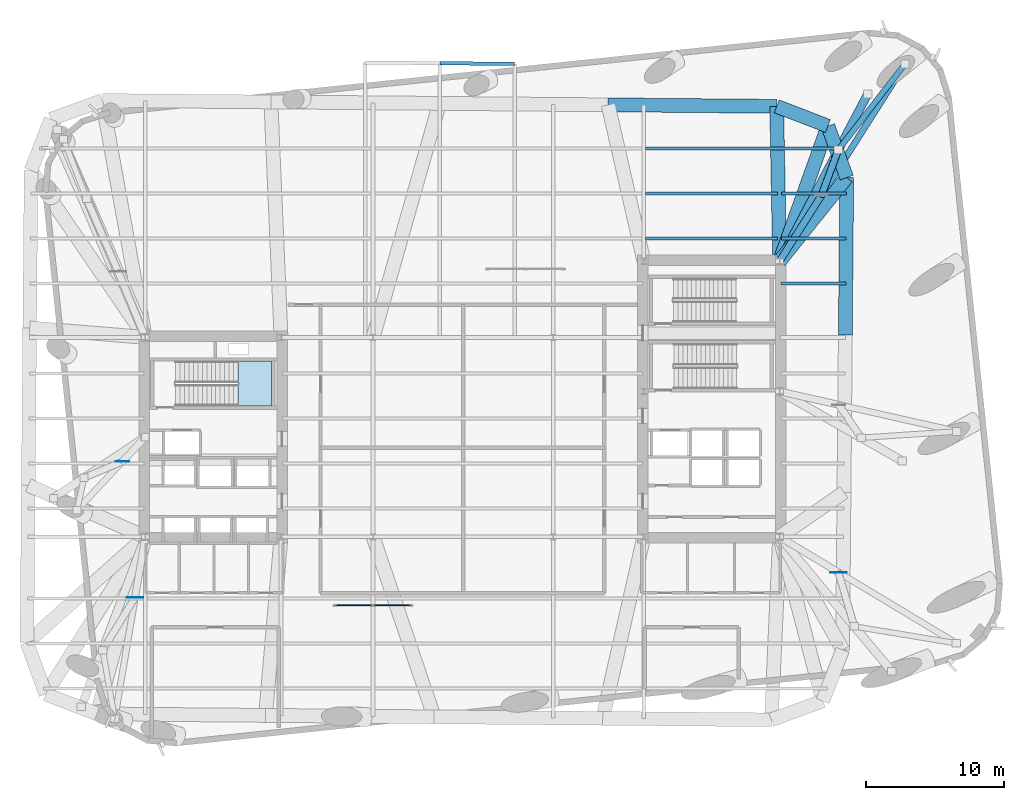
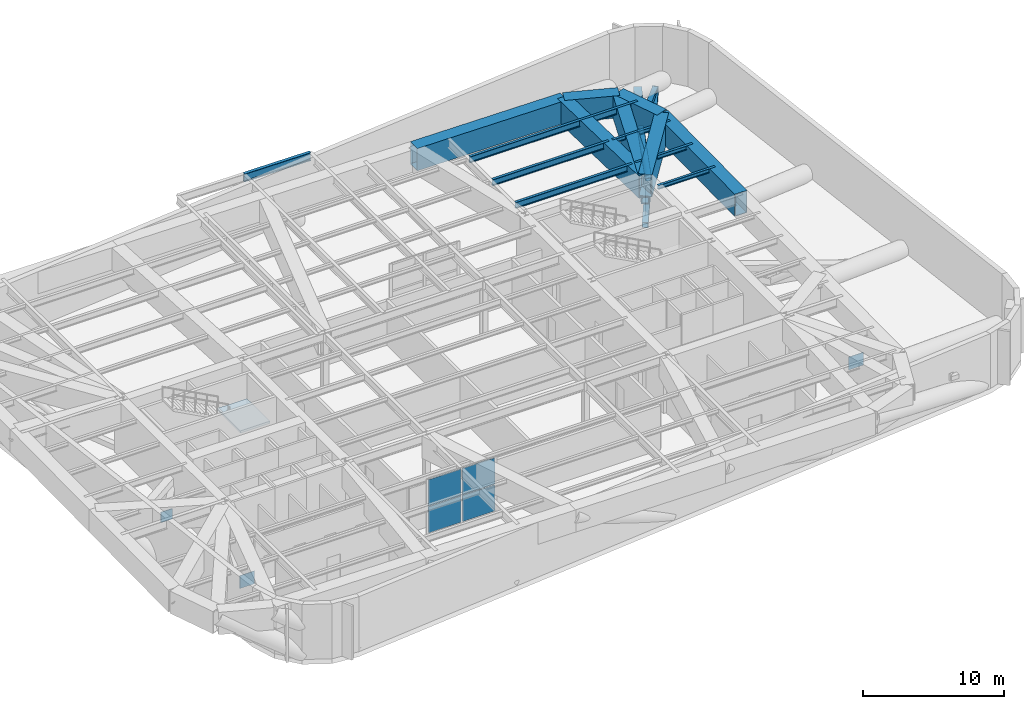
# One storey, part 5 of 15: 14 beams, 7 plates, 5 members, 1 slab, 2 elements without a shape of their own.
"""IFC4 building model written with IfcOpenShell, lengths in metres."""

import ifcopenshell
import ifcopenshell.guid

model = None  # the IFC model being written
_history = None  # IfcOwnerHistory: only IFC2X3 demands one
_inside = {}  # id of a spatial element -> (the spatial element, [elements in it])
_under = {}  # id of a project, library or spatial element -> (it, [spatial elements below it])
_declared = {}  # id of a project -> (the project, [libraries it declares])
_typed = {}  # id of a type object -> (the type object, [elements of that type])
_made_of = {}  # id of a material, layer set ... -> (it, [elements and type objects made of it])


def new_model(schema):
    """Start an empty IFC model of exactly this schema.

    Asked for "IFC4X3", IfcOpenShell would pick the latest addendum, in which some entities
    have other attributes; the version numbers below select the first issue.
    IFC2X3 requires an IfcOwnerHistory on every rooted entity: one is made here for all.
    """
    global model, _history
    if schema == "IFC4X3":
        model = ifcopenshell.file(schema_version=(4, 3, 0, 0))
    else:
        model = ifcopenshell.file(schema=schema)
    _inside.clear()
    _under.clear()
    _declared.clear()
    _typed.clear()
    _made_of.clear()
    _history = None
    if model.schema == "IFC2X3":
        org = make("IfcOrganization", Name="unknown")
        user = make(
            "IfcPersonAndOrganization",
            ThePerson=make("IfcPerson", FamilyName="unknown"),
            TheOrganization=org,
        )
        app = make(
            "IfcApplication",
            ApplicationDeveloper=org,
            Version="unknown",
            ApplicationFullName="unknown",
            ApplicationIdentifier="unknown",
        )
        _history = make(
            "IfcOwnerHistory",
            OwningUser=user,
            OwningApplication=app,
            ChangeAction="ADDED",
            CreationDate=0,
        )
    return model


def make(cls, **values):
    """One entity of the class cls with the attributes given. An attribute that is None is left unset."""
    return model.create_entity(
        cls, **{name: value for name, value in values.items() if value is not None}
    )


def rooted(cls, **values):
    """An entity with a GlobalId (a new one), such as an element, a storey or a relation."""
    return make(cls, GlobalId=ifcopenshell.guid.new(), OwnerHistory=_history, **values)


def si_unit(unit_type, name, prefix=None):
    """IfcSIUnit, for example si_unit("LENGTHUNIT", "METRE", prefix="MILLI")."""
    return make("IfcSIUnit", UnitType=unit_type, Prefix=prefix, Name=name)


def assignment(units):
    """IfcUnitAssignment: the units of a project."""
    return None if units is None else make("IfcUnitAssignment", Units=units)


def point(xyz):
    """IfcCartesianPoint."""
    return None if xyz is None else make("IfcCartesianPoint", Coordinates=xyz)


def direction(xyz):
    """IfcDirection."""
    return None if xyz is None else make("IfcDirection", DirectionRatios=xyz)


def frame(location, z_axis=None, x_axis=None):
    """IfcAxis2Placement3D, a coordinate frame: its origin and axes. An axis left out is left unset."""
    return make(
        "IfcAxis2Placement3D",
        Location=point(location),
        Axis=direction(z_axis),
        RefDirection=direction(x_axis),
    )


def frame_2d(location, x_axis=None):
    """IfcAxis2Placement2D, a coordinate frame in the plane: its origin and x axis."""
    return make(
        "IfcAxis2Placement2D", Location=point(location), RefDirection=direction(x_axis)
    )


def origin():
    """The frame at (0, 0, 0) with its axes left unset."""
    return frame((0.0, 0.0, 0.0))


def origin_2d():
    """The frame at (0, 0) in the plane with its x axis left unset."""
    return frame_2d((0.0, 0.0))


def place(relative_to, where):
    """IfcLocalPlacement: puts the frame where relative to a parent placement (None: the world)."""
    return make(
        "IfcLocalPlacement", PlacementRelTo=relative_to, RelativePlacement=where
    )


def context(
    kind, dimensions, precision=None, world=None, true_north=None, identifier=None
):
    """IfcGeometricRepresentationContext, for example the 3D "Model" context."""
    return make(
        "IfcGeometricRepresentationContext",
        ContextIdentifier=identifier,
        ContextType=kind,
        CoordinateSpaceDimension=dimensions,
        Precision=precision,
        WorldCoordinateSystem=world,
        TrueNorth=true_north,
    )


def subcontext(parent, identifier, kind, view, scale=None):
    """IfcGeometricRepresentationSubContext, for example "Body" below "Model"."""
    return make(
        "IfcGeometricRepresentationSubContext",
        ContextIdentifier=identifier,
        ContextType=kind,
        ParentContext=parent,
        TargetScale=scale,
        TargetView=view,
    )


def project(units=None, contexts=None):
    """IfcProject with its units and contexts."""
    return rooted(
        "IfcProject",
        Name="project",
        RepresentationContexts=contexts,
        UnitsInContext=assignment(units),
    )


def spatial(cls, under=None, at=None, **own):
    """A site, building, storey or space (cls), placed at a placement, below another one or the project."""
    s = rooted(cls, ObjectPlacement=at, **own)
    if under is not None:
        _under.setdefault(under.id(), (under, []))[1].append(s)
    return s


def polyline(points):
    """IfcPolyline through the points."""
    return make("IfcPolyline", Points=[point(p) for p in points])


def profile(cls, at=None, kind="AREA", **sizes):
    """A parametric profile (cls). Its sizes go by their IFC names, for example OverallWidth=200.0."""
    return make(cls, ProfileType=kind, Position=at, **sizes)


def rectangle(**sizes):
    """IfcRectangleProfileDef."""
    return profile("IfcRectangleProfileDef", **sizes)


def hollow_rectangle(**sizes):
    """IfcRectangleHollowProfileDef."""
    return profile("IfcRectangleHollowProfileDef", **sizes)


def hollow_circle(**sizes):
    """IfcCircleHollowProfileDef."""
    return profile("IfcCircleHollowProfileDef", **sizes)


def i_section(**sizes):
    """IfcIShapeProfileDef."""
    return profile("IfcIShapeProfileDef", **sizes)


def outline(outer, holes=None, kind="AREA"):
    """IfcArbitraryClosedProfileDef: a profile drawn as a closed curve; with holes, ...WithVoids."""
    if holes is None:
        return make("IfcArbitraryClosedProfileDef", ProfileType=kind, OuterCurve=outer)
    return make(
        "IfcArbitraryProfileDefWithVoids",
        ProfileType=kind,
        OuterCurve=outer,
        InnerCurves=holes,
    )


def extrude(swept, where, along, depth):
    """IfcExtrudedAreaSolid: the profile swept, set in the frame where, extruded along a direction by depth."""
    return make(
        "IfcExtrudedAreaSolid",
        SweptArea=swept,
        Position=where,
        ExtrudedDirection=direction(along),
        Depth=depth,
    )


def shape(context_of_items, identifier, shape_type, items):
    """IfcShapeRepresentation: the items that make up one representation, for example the "Body"."""
    return make(
        "IfcShapeRepresentation",
        ContextOfItems=context_of_items,
        RepresentationIdentifier=identifier,
        RepresentationType=shape_type,
        Items=items,
    )


def material(Name=None, Category=None):
    """IfcMaterial."""
    return make("IfcMaterial", Name=Name, Category=Category)


def layer(
    of_material, thickness, ventilated=None, Name=None, Category=None, Priority=None
):
    """IfcMaterialLayer: one layer of a wall or slab, of a material (None: an air gap)."""
    return make(
        "IfcMaterialLayer",
        Material=of_material,
        LayerThickness=thickness,
        IsVentilated=ventilated,
        Name=Name,
        Category=Category,
        Priority=Priority,
    )


def layer_set(layers, Name=None):
    """IfcMaterialLayerSet."""
    return make("IfcMaterialLayerSet", MaterialLayers=layers, LayerSetName=Name)


def material_profile(
    of_material, cross_section, Name=None, Category=None, Priority=None
):
    """IfcMaterialProfile: a cross section and its material."""
    return make(
        "IfcMaterialProfile",
        Name=Name,
        Material=of_material,
        Profile=cross_section,
        Priority=Priority,
        Category=Category,
    )


def profile_set(profiles, Name=None, composite=None):
    """IfcMaterialProfileSet."""
    return make(
        "IfcMaterialProfileSet",
        Name=Name,
        MaterialProfiles=profiles,
        CompositeProfile=composite,
    )


def made_of(thing, what):
    """Note that an element or type object is made of a material, layer set ...; save() writes the relation."""
    if what is not None:
        _made_of.setdefault(what.id(), (what, []))[1].append(thing)
    return thing


def type_object(cls, material=None, **own):
    """A type object (cls), such as IfcWallType, which elements share."""
    return made_of(rooted(cls, **own), material)


def element(
    cls,
    number,
    at=None,
    inside=None,
    cuts=None,
    type_object=None,
    material=None,
    context=None,
    identifier="Body",
    shape_type=None,
    held_by="IfcProductDefinitionShape",
    body=None,
    shapes=None,
    **own,
):
    """One element of the class cls, such as IfcWall. Its Tag is "e" and its number.

    at: its placement. inside: the storey or other place that contains it. cuts: it is an
    opening in that element (IfcRelVoidsElement). A single representation is given by context,
    identifier, shape_type and body (its items); several are given by shapes. held_by: the class
    of the entity that holds the representations. save() writes the other relations.
    """
    e = rooted(cls, Tag="e%d" % number, ObjectPlacement=at, **own)
    if body is not None:
        shapes = [shape(context, identifier, shape_type, body)]
    if shapes is not None:
        e.Representation = make(held_by, Representations=shapes)
    if inside is not None:
        _inside.setdefault(inside.id(), (inside, []))[1].append(e)
    if cuts is not None:
        rooted(
            "IfcRelVoidsElement", RelatingBuildingElement=cuts, RelatedOpeningElement=e
        )
    if type_object is not None:
        _typed.setdefault(type_object.id(), (type_object, []))[1].append(e)
    return made_of(e, material)


def aggregate(whole, parts):
    """IfcRelAggregates: a whole, such as a stair, and the parts it consists of."""
    return rooted("IfcRelAggregates", RelatingObject=whole, RelatedObjects=parts)


def save(model, path):
    """Write the relations noted so far, then the file.

    IfcRelAggregates (storeys below a building ...), IfcRelContainedInSpatialStructure (elements
    in a storey), IfcRelDefinesByType, IfcRelAssociatesMaterial and IfcRelDeclares: one each for
    every whole, place, type object, material and project.
    """
    for whole, parts in _under.values():
        aggregate(whole, parts)
    for where, things in _inside.values():
        rooted(
            "IfcRelContainedInSpatialStructure",
            RelatedElements=things,
            RelatingStructure=where,
        )
    for kind, things in _typed.values():
        rooted("IfcRelDefinesByType", RelatedObjects=things, RelatingType=kind)
    for what, things in _made_of.values():
        rooted("IfcRelAssociatesMaterial", RelatedObjects=things, RelatingMaterial=what)
    for by, libraries in _declared.values():
        rooted("IfcRelDeclares", RelatingContext=by, RelatedDefinitions=libraries)
    model.write(path)


model = new_model("IFC4")

# Units and contexts
model_context = context("Model", 3, precision=1e-05, world=origin(), true_north=direction((0.0, 1.0)))
body_context = subcontext(model_context, "Body", "Model", "MODEL_VIEW")
ifc_project = project(units=[si_unit("LENGTHUNIT", "METRE"), si_unit("AREAUNIT", "SQUARE_METRE"), si_unit("VOLUMEUNIT", "CUBIC_METRE"), si_unit("PLANEANGLEUNIT", "RADIAN"), si_unit("MASSUNIT", "GRAM", prefix="KILO")], contexts=[model_context])

# Site, building, storey
site_placement = place(None, origin())
site = spatial("IfcSite", under=ifc_project, at=site_placement, CompositionType="ELEMENT")
building_placement = place(site_placement, origin())
building = spatial("IfcBuilding", under=site, at=building_placement, Name="Kolvaren Arena Tower", CompositionType="ELEMENT")
storey_placement = place(building_placement, frame((0.0, 0.0, 153.25)))
storey = spatial("IfcBuildingStorey", under=building, at=storey_placement, Name="L36", CompositionType="ELEMENT", Elevation=153.25)

# Beams
ifc_material_1 = material(Name="Steel CSA G40.21 350W", Category="steel")
ifc_material_profile_1 = material_profile(ifc_material_1, i_section(OverallWidth=0.2119140625, OverallDepth=0.54296875, WebThickness=0.01318359375, FlangeThickness=0.0244140625, FilletRadius=0.013916015625, at=origin_2d()), Name="W530x150")
ifc_profile_set_1 = profile_set([ifc_material_profile_1], Name="Steel CSA G40.21 350W")
beam_type_1 = type_object("IfcBeamType", Name="BEAM-F1", PredefinedType="BEAM", material=ifc_profile_set_1)
for number, where, z_axis, x_axis, name in (
    (1, (50.68505859375, 41.0, 4.478515625), (1.0, 0.0, 0.0), (0.0, 1.0, 0.0), "Composite Floor Beam (L36)"),
    (2, (50.68505859375, 44.25, 4.478515625), (1.0, 0.0, 0.0), (0.0, 1.0, 0.0), "Composite Floor Beam (L36)"),
):
    element("IfcBeam", number, at=place(storey_placement, frame(where, z_axis=z_axis, x_axis=x_axis)), inside=storey, type_object=beam_type_1, Name=name, PredefinedType="BEAM", context=body_context, shape_type="SweptSolid", body=[
        extrude(i_section(OverallWidth=0.2119140625, OverallDepth=0.54296875, WebThickness=0.01318359375, FlangeThickness=0.0244140625, FilletRadius=0.013916015625, at=origin_2d()), origin(), (0.0, 0.0, 1.0), 9.530029296875),
    ])
beam_1_placement = place(storey_placement, frame((50.68505859375, 47.5, 4.478515625), z_axis=(1.0, 0.0, 0.0), x_axis=(0.0, 1.0, 0.0)))
element("IfcBeam", 3, at=beam_1_placement, inside=storey, type_object=beam_type_1, Name="Composite Floor Beam (L36)", PredefinedType="BEAM", context=body_context, shape_type="SweptSolid", body=[
    extrude(i_section(OverallWidth=0.2119140625, OverallDepth=0.54296875, WebThickness=0.01318359375, FlangeThickness=0.0244140625, FilletRadius=0.013916015625, at=origin_2d()), origin(), (0.0, 0.0, 1.0), 13.742919921875),
])

# Members
ifc_material_2 = material(Name="Steel CSA G40.21 350WT", Category="steel")
ifc_material_profile_2 = material_profile(ifc_material_2, hollow_rectangle(XDim=0.449951171875, YDim=0.449951171875, WallThickness=0.02001953125, at=origin_2d()), Name="HSS 450x450x20")
ifc_profile_set_2 = profile_set([ifc_material_profile_2], Name="Steel CSA G40.21 350WT")
member_type_1 = type_object("IfcMemberType", Name="BELT-CHORD", PredefinedType="CHORD", material=ifc_profile_set_2)
member_1_placement = place(storey_placement, frame((60.35009765625, 39.35009765625, 0.35009765625), z_axis=(0.536766950315, 0.843730550027, 0.0), x_axis=(-0.843730550027, 0.536766950315, 0.0)))
element("IfcMember", 4, at=member_1_placement, inside=storey, type_object=member_type_1, Name="Belt Truss Bottom Chord 4 (L36)", PredefinedType="CHORD", context=body_context, shape_type="SweptSolid", body=[
    extrude(hollow_rectangle(XDim=0.449951171875, YDim=0.449951171875, WallThickness=0.02001953125, at=origin_2d()), origin(), (0.0, 0.0, 1.0), 16.883544921875),
])
ifc_material_profile_3 = material_profile(ifc_material_2, hollow_rectangle(XDim=0.39990234375, YDim=0.39990234375, WallThickness=0.01611328125, at=origin_2d()), Name="HSS 400x400x16")
ifc_profile_set_3 = profile_set([ifc_material_profile_3], Name="Steel CSA G40.21 350WT")
member_type_2 = type_object("IfcMemberType", Name="BELT-DIAG", PredefinedType="BRACE", material=ifc_profile_set_3)
member_2_placement = place(storey_placement, frame((64.593017578125, 47.400390625, 2.47998046875), z_axis=(0.592618405023, 0.76171923454, -0.261891645075), x_axis=(-0.789266789699, 0.614050433335, 0.0)))
element("IfcMember", 5, at=member_2_placement, inside=storey, type_object=member_type_2, Name="Belt Truss Warren Diagonal C 4 (L36)", PredefinedType="BRACE", context=body_context, shape_type="SweptSolid", body=[
    extrude(hollow_rectangle(XDim=0.39990234375, YDim=0.39990234375, WallThickness=0.01611328125, at=origin_2d()), origin(), (0.0, 0.0, 1.0), 8.132568359375),
])
ifc_material_profile_4 = material_profile(ifc_material_2, hollow_circle(Radius=0.25390625, WallThickness=0.02490234375, at=origin_2d()), Name="CHS 508x25")
ifc_profile_set_4 = profile_set([ifc_material_profile_4], Name="Steel CSA G40.21 350WT")
member_type_3 = type_object("IfcMemberType", Name="EXO-BRACE1", PredefinedType="BRACE", material=ifc_profile_set_4)
member_3_placement = place(storey_placement, frame((63.370849609375, 44.098388671875, 0.35009765625), z_axis=(0.297002386526, 0.802428541304, 0.517588657622), x_axis=(-0.937822345364, 0.347115612635, 0.0)))
element("IfcMember", 6, at=member_3_placement, inside=storey, type_object=member_type_3, Name="Outrigger Warren Diagonal B 4 (L36)", PredefinedType="BRACE", context=body_context, shape_type="SweptSolid", body=[
    extrude(hollow_circle(Radius=0.25390625, WallThickness=0.02490234375, at=origin_2d()), origin(), (0.0, 0.0, 1.0), 4.114990234375),
])

# Beams
ifc_material_profile_5 = material_profile(ifc_material_1, i_section(OverallWidth=0.2548828125, OverallDepth=0.695068359375, WebThickness=0.01708984375, FlangeThickness=0.02978515625, FilletRadius=0.01611328125, at=origin_2d()), Name="W690x217")
ifc_profile_set_5 = profile_set([ifc_material_profile_5], Name="Steel CSA G40.21 350W")
beam_type_2 = type_object("IfcBeamType", Name="GIRD-T2", PredefinedType="BEAM", material=ifc_profile_set_5)
beam_2_placement = place(storey_placement, frame((35.818603515625, 53.64892578125, 4.402587890625), z_axis=(0.999961931294, -0.008725592402, 0.0), x_axis=(0.008725592402, 0.999961931294, 0.0)))
element("IfcBeam", 7, at=beam_2_placement, inside=storey, type_object=beam_type_2, Name="Terrace Edge Fascia Beam (L37)", PredefinedType="BEAM", context=body_context, shape_type="SweptSolid", body=[
    extrude(i_section(OverallWidth=0.2548828125, OverallDepth=0.695068359375, WebThickness=0.01708984375, FlangeThickness=0.02978515625, FilletRadius=0.01611328125, at=origin_2d()), origin(), (0.0, 0.0, 1.0), 5.400146484375),
])
ifc_material_profile_6 = material_profile(ifc_material_1, i_section(OverallWidth=0.202880859375, OverallDepth=0.346923828125, WebThickness=0.0078125, FlangeThickness=0.013427734375, FilletRadius=0.010986328125, at=origin_2d()), Name="W360x64")
ifc_profile_set_6 = profile_set([ifc_material_profile_6], Name="Steel CSA G40.21 350W")
beam_type_3 = type_object("IfcBeamType", Name="JOIST-01", PredefinedType="JOIST", material=ifc_profile_set_6)
beam_3_placement = place(storey_placement, frame((60.445068359375, 37.75, 4.576416015625), z_axis=(1.0, 0.0, 0.0), x_axis=(0.0, 1.0, 0.0)))
element("IfcBeam", 8, at=beam_3_placement, inside=storey, type_object=beam_type_3, Name="Composite Floor Joist (L36)", PredefinedType="JOIST", context=body_context, shape_type="SweptSolid", body=[
    extrude(i_section(OverallWidth=0.202880859375, OverallDepth=0.346923828125, WebThickness=0.0078125, FlangeThickness=0.013427734375, FilletRadius=0.010986328125, at=origin_2d()), origin(), (0.0, 0.0, 1.0), 4.68603515625),
])
beam_4_placement = place(storey_placement, frame((60.485107421875, 41.0, 4.576416015625), z_axis=(1.0, 0.0, 0.0), x_axis=(0.0, 1.0, 0.0)))
element("IfcBeam", 9, at=beam_4_placement, inside=storey, type_object=beam_type_3, Name="Composite Floor Joist (L36)", PredefinedType="JOIST", context=body_context, shape_type="SweptSolid", body=[
    extrude(i_section(OverallWidth=0.202880859375, OverallDepth=0.346923828125, WebThickness=0.0078125, FlangeThickness=0.013427734375, FilletRadius=0.010986328125, at=origin_2d()), origin(), (0.0, 0.0, 1.0), 4.67431640625),
])
beam_5_placement = place(storey_placement, frame((60.485107421875, 44.25, 4.576416015625), z_axis=(1.0, 0.0, 0.0), x_axis=(0.0, 1.0, 0.0)))
element("IfcBeam", 10, at=beam_5_placement, inside=storey, type_object=beam_type_3, Name="Composite Floor Joist (L36)", PredefinedType="JOIST", context=body_context, shape_type="SweptSolid", body=[
    extrude(i_section(OverallWidth=0.202880859375, OverallDepth=0.346923828125, WebThickness=0.0078125, FlangeThickness=0.013427734375, FilletRadius=0.010986328125, at=origin_2d()), origin(), (0.0, 0.0, 1.0), 4.70263671875),
])

# Members
ifc_material_profile_7 = material_profile(ifc_material_2, hollow_rectangle(XDim=0.60009765625, YDim=0.60009765625, WallThickness=0.02490234375, at=origin_2d()), Name="HSS 600x600x25")
ifc_profile_set_7 = profile_set([ifc_material_profile_7], Name="Steel CSA G40.21 350WT")
member_type_4 = type_object("IfcMemberType", Name="OUT-CHORD", PredefinedType="CHORD", material=ifc_profile_set_7)
member_4_placement = place(storey_placement, frame((60.35009765625, 39.35009765625, 2.47998046875), z_axis=(0.466256479659, 0.88464958892, 0.0), x_axis=(-0.88464958892, 0.466256479659, 0.0)))
element("IfcMember", 11, at=member_4_placement, inside=storey, type_object=member_type_4, Name="Outrigger Top Chord 4 (L36)", PredefinedType="CHORD", context=body_context, shape_type="SweptSolid", body=[
    extrude(hollow_rectangle(XDim=0.60009765625, YDim=0.60009765625, WallThickness=0.02490234375, at=origin_2d()), origin(), (0.0, 0.0, 1.0), 13.649658203125),
])
ifc_material_profile_8 = material_profile(ifc_material_2, hollow_rectangle(XDim=0.5, YDim=0.5, WallThickness=0.02197265625, at=origin_2d()), Name="HSS 500x500x22")
ifc_profile_set_8 = profile_set([ifc_material_profile_8], Name="Steel CSA G40.21 350WT")
member_type_5 = type_object("IfcMemberType", Name="OUT-DIAG", PredefinedType="BRACE", material=ifc_profile_set_8)
member_5_placement = place(storey_placement, frame((60.35009765625, 39.35009765625, 2.47998046875), z_axis=(0.502013193681, 0.789109723099, -0.35396129489), x_axis=(-0.843732932663, 0.536763205092, 0.0)))
element("IfcMember", 12, at=member_5_placement, inside=storey, type_object=member_type_5, Name="Outrigger Warren Diagonal A 4 (L36)", PredefinedType="BRACE", context=body_context, shape_type="SweptSolid", body=[
    extrude(hollow_rectangle(XDim=0.5, YDim=0.5, WallThickness=0.02197265625, at=origin_2d()), origin(), (0.0, 0.0, 1.0), 6.017333984375),
])

# Beams
ifc_material_profile_9 = material_profile(ifc_material_2, hollow_rectangle(XDim=1.0, YDim=1.919921875, WallThickness=0.044921875, at=origin_2d()), Name="BOX 1000x1920x45")
ifc_profile_set_9 = profile_set([ifc_material_profile_9], Name="Steel CSA G40.21 350WT")
beam_type_4 = type_object("IfcBeamType", Name="TG-MEGA", PredefinedType="USERDEFINED", material=ifc_profile_set_9)
beam_6_placement = place(storey_placement, frame((65.098388671875, 34.026123046875, 3.7900390625), z_axis=(0.008741825937, 0.99996178951, 0.0), x_axis=(-0.99996178951, 0.008741825937, 0.0)))
element("IfcBeam", 13, at=beam_6_placement, inside=storey, type_object=beam_type_4, Name="Perimeter Transfer Ring Girder 09 (L36)", ObjectType="TRANSFER GIRDER", PredefinedType="USERDEFINED", context=body_context, shape_type="SweptSolid", body=[
    extrude(hollow_rectangle(XDim=1.0, YDim=1.919921875, WallThickness=0.044921875, at=origin_2d()), origin(), (0.0, 0.0, 1.0), 11.36669921875),
])
beam_7_placement = place(storey_placement, frame((65.19775390625, 45.392333984375, 3.7900390625), z_axis=(-0.343059102458, 0.939313819882, 0.0), x_axis=(-0.939313819882, -0.343059102458, 0.0)))
element("IfcBeam", 14, at=beam_7_placement, inside=storey, type_object=beam_type_4, Name="Perimeter Transfer Ring Girder 10 (L36)", ObjectType="TRANSFER GIRDER", PredefinedType="USERDEFINED", context=body_context, shape_type="SweptSolid", body=[
    extrude(hollow_rectangle(XDim=1.0, YDim=1.919921875, WallThickness=0.044921875, at=origin_2d()), origin(), (0.0, 0.0, 1.0), 3.961181640625),
])
beam_8_placement = place(storey_placement, frame((65.19775390625, 45.392333984375, 3.7900390625), z_axis=(-0.625785974451, -0.779994816765, 0.0), x_axis=(0.779994816765, -0.625785974451, 0.0)))
element("IfcBeam", 15, at=beam_8_placement, inside=storey, type_object=beam_type_4, Name="Cantilever Block Transfer Girder 10 (L36)", ObjectType="TRANSFER GIRDER", PredefinedType="USERDEFINED", context=body_context, shape_type="SweptSolid", body=[
    extrude(hollow_rectangle(XDim=1.0, YDim=1.919921875, WallThickness=0.044921875, at=origin_2d()), origin(), (0.0, 0.0, 1.0), 7.74658203125),
])
beam_9_placement = place(storey_placement, frame((63.8388671875, 49.113037109375, 3.7900390625), z_axis=(-0.933189846698, 0.359383792094, 0.0), x_axis=(-0.359383792094, -0.933189846698, 0.0)))
element("IfcBeam", 16, at=beam_9_placement, inside=storey, type_object=beam_type_4, Name="Perimeter Transfer Ring Girder 11 (L36)", ObjectType="TRANSFER GIRDER", PredefinedType="USERDEFINED", context=body_context, shape_type="SweptSolid", body=[
    extrude(hollow_rectangle(XDim=1.0, YDim=1.919921875, WallThickness=0.044921875, at=origin_2d()), origin(), (0.0, 0.0, 1.0), 3.961181640625),
])
beam_10_placement = place(storey_placement, frame((63.8388671875, 49.113037109375, 3.7900390625), z_axis=(-0.336507943777, -0.94168062727, 0.0), x_axis=(0.94168062727, -0.336507943777, 0.0)))
element("IfcBeam", 17, at=beam_10_placement, inside=storey, type_object=beam_type_4, Name="Cantilever Block Transfer Girder 11 (L36)", ObjectType="TRANSFER GIRDER", PredefinedType="USERDEFINED", context=body_context, shape_type="SweptSolid", body=[
    extrude(hollow_rectangle(XDim=1.0, YDim=1.919921875, WallThickness=0.044921875, at=origin_2d()), origin(), (0.0, 0.0, 1.0), 10.36767578125),
])
beam_11_placement = place(storey_placement, frame((60.142333984375, 50.53662109375, 3.7900390625), z_axis=(-0.99996195503, 0.008722871848, 0.0), x_axis=(-0.008722871848, -0.99996195503, 0.0)))
element("IfcBeam", 18, at=beam_11_placement, inside=storey, type_object=beam_type_4, Name="Perimeter Transfer Ring Girder 12 (L36)", ObjectType="TRANSFER GIRDER", PredefinedType="USERDEFINED", context=body_context, shape_type="SweptSolid", body=[
    extrude(hollow_rectangle(XDim=1.0, YDim=1.919921875, WallThickness=0.044921875, at=origin_2d()), origin(), (0.0, 0.0, 1.0), 12.175048828125),
])
beam_12_placement = place(storey_placement, frame((60.142333984375, 50.53662109375, 3.7900390625), z_axis=(0.018569473247, -0.999827572466, 0.0), x_axis=(0.999827572466, 0.018569473247, 0.0)))
element("IfcBeam", 19, at=beam_12_placement, inside=storey, type_object=beam_type_4, Name="Cantilever Block Transfer Girder 12 (L36)", ObjectType="TRANSFER GIRDER", PredefinedType="USERDEFINED", context=body_context, shape_type="SweptSolid", body=[
    extrude(hollow_rectangle(XDim=1.0, YDim=1.919921875, WallThickness=0.044921875, at=origin_2d()), origin(), (0.0, 0.0, 1.0), 11.1884765625),
])

# Curtain wall, plates
ifc_material_3 = material(Name="Anodised aluminium unitised curtain wall", Category="aluminium")
curtain_wall_type = type_object("IfcCurtainWallType", Name="CW-SYS-05", PredefinedType="USERDEFINED", material=ifc_material_3)
curtain_wall_placement = place(storey_placement, origin())
curtain_wall = element("IfcCurtainWall", 20, at=curtain_wall_placement, inside=storey, type_object=curtain_wall_type, Name="Mechanical Plant Louvre Curtain Wall (L36)", ObjectType="ACOUSTIC LOUVRE SCREEN", PredefinedType="USERDEFINED")
ifc_material_4 = material(Name="Storm-proof anodised aluminium louvre panel", Category="aluminium")
ifc_layer_1 = layer(ifc_material_4, 0.074951171875)
ifc_layer_set_1 = layer_set([ifc_layer_1], Name="Storm-proof anodised aluminium louvre panel")
plate_type_1 = type_object("IfcPlateType", Name="CWP-LVR1", PredefinedType="CURTAIN_PANEL", material=ifc_layer_set_1)
plate_1_placement = place(storey_placement, frame((29.625, 14.5, 0.080078125), z_axis=(0.0, 0.0, 1.0), x_axis=(1.0, 0.0, 0.0)))
plate_1 = element("IfcPlate", 21, at=plate_1_placement, type_object=plate_type_1, Name="CW5 panel 1.1", PredefinedType="CURTAIN_PANEL", context=body_context, shape_type="SweptSolid", body=[
    extrude(rectangle(XDim=2.64990234375, YDim=0.074951171875, at=origin_2d()), origin(), (0.0, 0.0, 1.0), 2.2548828125),
])
plate_2_placement = place(storey_placement, frame((29.625, 14.5, 2.4150390625), z_axis=(0.0, 0.0, 1.0), x_axis=(1.0, 0.0, 0.0)))
plate_2 = element("IfcPlate", 22, at=plate_2_placement, type_object=plate_type_1, Name="CW5 panel 1.2", PredefinedType="CURTAIN_PANEL", context=body_context, shape_type="SweptSolid", body=[
    extrude(rectangle(XDim=2.64990234375, YDim=0.074951171875, at=origin_2d()), origin(), (0.0, 0.0, 1.0), 2.2548828125),
])
plate_3_placement = place(storey_placement, frame((32.375, 14.5, 0.080078125), z_axis=(0.0, 0.0, 1.0), x_axis=(1.0, 0.0, 0.0)))
plate_3 = element("IfcPlate", 23, at=plate_3_placement, type_object=plate_type_1, Name="CW5 panel 2.1", PredefinedType="CURTAIN_PANEL", context=body_context, shape_type="SweptSolid", body=[
    extrude(rectangle(XDim=2.64990234375, YDim=0.074951171875, at=origin_2d()), origin(), (0.0, 0.0, 1.0), 2.2548828125),
])
plate_4_placement = place(storey_placement, frame((32.375, 14.5, 2.4150390625), z_axis=(0.0, 0.0, 1.0), x_axis=(1.0, 0.0, 0.0)))
plate_4 = element("IfcPlate", 24, at=plate_4_placement, type_object=plate_type_1, Name="CW5 panel 2.2", PredefinedType="CURTAIN_PANEL", context=body_context, shape_type="SweptSolid", body=[
    extrude(rectangle(XDim=2.64990234375, YDim=0.074951171875, at=origin_2d()), origin(), (0.0, 0.0, 1.0), 2.2548828125),
])
aggregate(curtain_wall, [plate_1, plate_2, plate_3, plate_4])

# Plates
ifc_layer_2 = layer(ifc_material_2, 0.0380859375)
ifc_layer_set_2 = layer_set([ifc_layer_2], Name="Steel CSA G40.21 350WT")
plate_type_2 = type_object("IfcPlateType", Name="PLT-GUS-B1", PredefinedType="USERDEFINED", material=ifc_layer_set_2)
plate_5_placement = place(storey_placement, frame((12.905517578125, 24.8935546875, 0.199951171875), z_axis=(0.0, 0.0, 1.0), x_axis=(1.0, 0.0, 0.0)))
element("IfcPlate", 25, at=plate_5_placement, inside=storey, type_object=plate_type_2, Name="Outrigger Truss Gusset Plate 5 (L36)", ObjectType="GUSSET PLATE", PredefinedType="USERDEFINED", context=body_context, shape_type="SweptSolid", body=[
    extrude(rectangle(XDim=0.949951171875, YDim=0.0380859375, at=origin_2d()), origin(), (0.0, 0.0, 1.0), 0.89990234375),
])
ifc_layer_3 = layer(ifc_material_2, 0.044921875)
ifc_layer_set_3 = layer_set([ifc_layer_3], Name="Steel CSA G40.21 350WT")
plate_type_3 = type_object("IfcPlateType", Name="PLT-GUS-O1", PredefinedType="USERDEFINED", material=ifc_layer_set_3)
for number, where, z_axis, x_axis, name in (
    (26, (13.813720703125, 15.076171875, 0.199951171875), (0.0, 0.0, 1.0), (1.0, 0.0, 0.0), "Outrigger Truss Gusset Plate 1 (L36)"),
    (27, (64.601806640625, 16.887939453125, 0.199951171875), (0.0, 0.0, 1.0), (1.0, 0.0, 0.0), "Outrigger Truss Gusset Plate 3 (L36)"),
):
    element("IfcPlate", number, at=place(storey_placement, frame(where, z_axis=z_axis, x_axis=x_axis)), inside=storey, type_object=plate_type_3, Name=name, ObjectType="GUSSET PLATE", PredefinedType="USERDEFINED", context=body_context, shape_type="SweptSolid", body=[
        extrude(rectangle(XDim=1.199951171875, YDim=0.044921875, at=origin_2d()), origin(), (0.0, 0.0, 1.0), 1.10009765625),
    ])

# Stair, slab
ifc_material_5 = material(Name="Concrete 45 MPa", Category="concrete")
stair_type = type_object("IfcStairType", Name="STAIR-CORE-165", PredefinedType="HALF_TURN_STAIR", material=ifc_material_5)
stair_placement = place(storey_placement, origin())
stair = element("IfcStair", 28, at=stair_placement, inside=storey, type_object=stair_type, Name="L36 ST-W1", PredefinedType="HALF_TURN_STAIR")
ifc_layer_4 = layer(ifc_material_5, 0.199951171875)
ifc_layer_set_4 = layer_set([ifc_layer_4], Name="Concrete 45 MPa")
slab_type = type_object("IfcSlabType", Name="SLAB-LAND", PredefinedType="LANDING", material=ifc_layer_set_4)
slab_placement = place(storey_placement, frame((0.0, 0.0, 2.39990234375)))
slab = element("IfcSlab", 29, at=slab_placement, type_object=slab_type, Name="ST-W1 landing 1", PredefinedType="LANDING", context=body_context, shape_type="SweptSolid", body=[
    extrude(outline(polyline([(21.256103515625, 28.89990234375), (23.659912109375, 28.89990234375), (23.659912109375, 32.1298828125), (21.256103515625, 32.1298828125), (21.256103515625, 28.89990234375)])), origin(), (0.0, 0.0, 1.0), 0.2001953125),
])
aggregate(stair, [slab])

save(model, "model.ifc")
